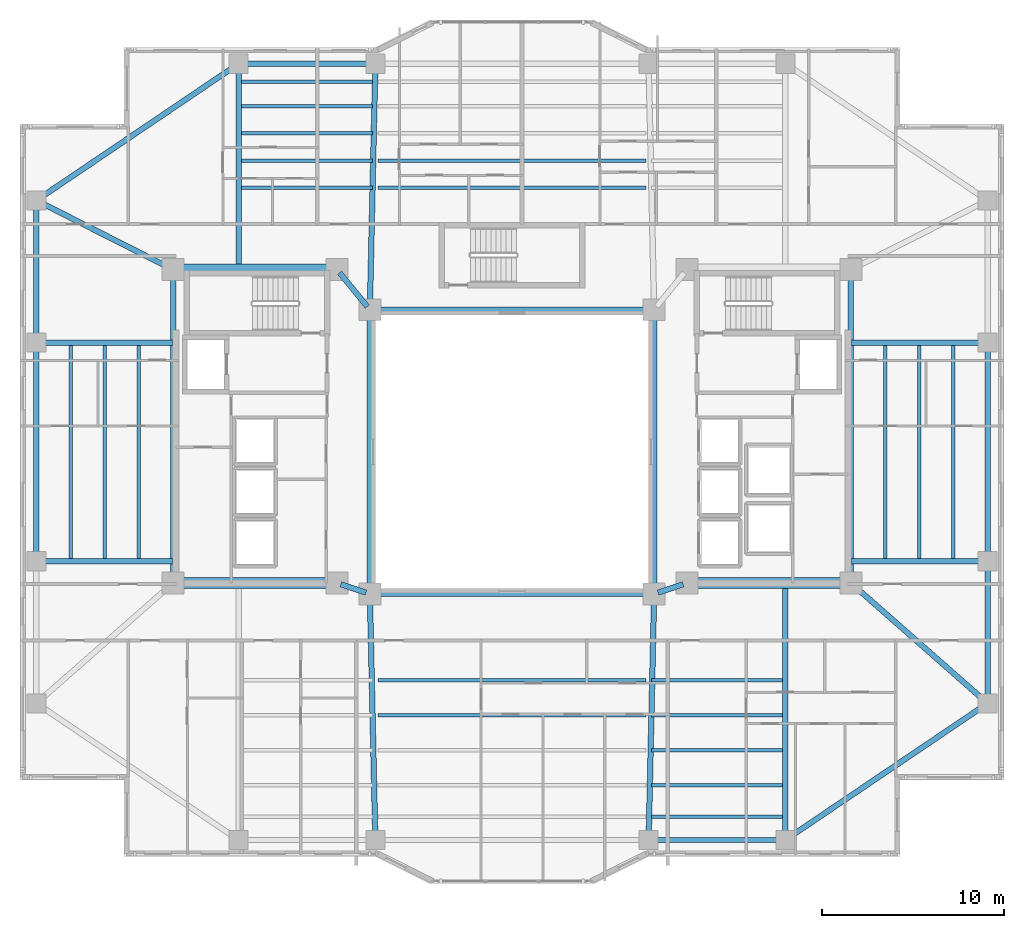
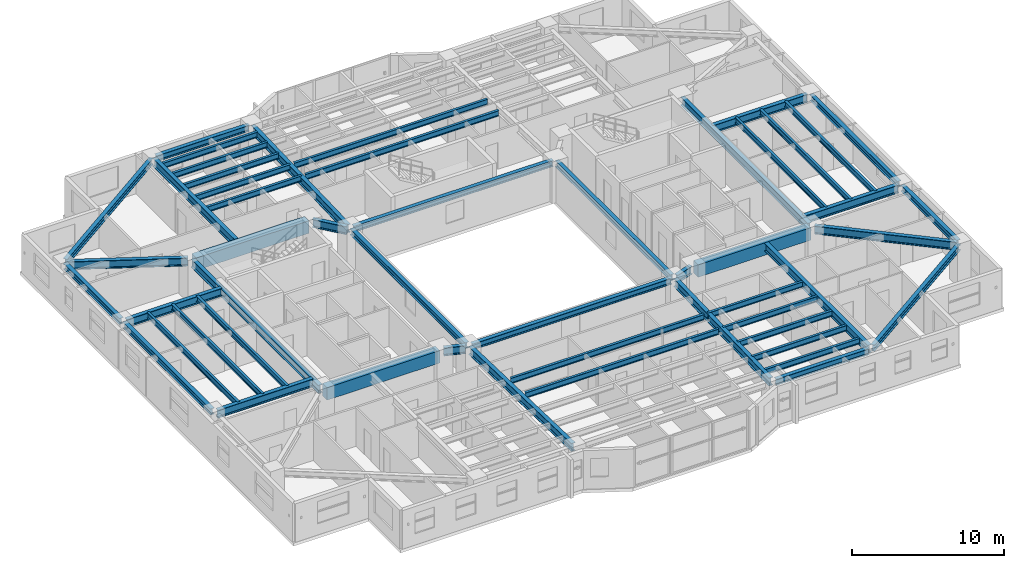
# One storey, part 3 of 19: 51 beams.
"""IFC4 building model written with IfcOpenShell, lengths in metres."""

from ifc_helpers import new_model, si_unit, direction, frame, origin, origin_2d, place, context, subcontext, project, spatial, rectangle, i_section, extrude, material, material_profile, profile_set, type_object, element, save


model = new_model("IFC4")

# Units and contexts
model_context = context("Model", 3, precision=1e-05, world=origin(), true_north=direction((0.0, 1.0)))
body_context = subcontext(model_context, "Body", "Model", "MODEL_VIEW")
ifc_project = project(units=[si_unit("LENGTHUNIT", "METRE"), si_unit("AREAUNIT", "SQUARE_METRE"), si_unit("VOLUMEUNIT", "CUBIC_METRE"), si_unit("PLANEANGLEUNIT", "RADIAN"), si_unit("MASSUNIT", "GRAM", prefix="KILO")], contexts=[model_context])

# Site, building, storey
site_placement = place(None, origin())
site = spatial("IfcSite", under=ifc_project, at=site_placement, CompositionType="ELEMENT")
building_placement = place(site_placement, origin())
building = spatial("IfcBuilding", under=site, at=building_placement, Name="Tarnavaz Court Tower", CompositionType="ELEMENT")
storey_placement = place(building_placement, frame((0.0, 0.0, 111.800048828125)))
storey = spatial("IfcBuildingStorey", under=building, at=storey_placement, Name="L30", CompositionType="ELEMENT", Elevation=111.800048828125)

# Beams
ifc_material_1 = material(Name="Concrete C60/75", Category="concrete")
ifc_material_profile_1 = material_profile(ifc_material_1, rectangle(XDim=0.60009765625, YDim=1.0, at=origin_2d()), Name="RC 600X1000")
ifc_profile_set_1 = profile_set([ifc_material_profile_1], Name="Concrete C60/75")
beam_type_1 = type_object("IfcBeamType", Name="BM-CB1000", PredefinedType="LINTEL", material=ifc_profile_set_1)
for number, where, z_axis, x_axis, name in (
    (1, (-18.3798828125, -7.199951171875, 2.599853515625), (1.0, 0.0, 0.0), (0.0, 1.0, 0.0), "L30 Beam IN-CW-SO-CW-SI"),
    (2, (-18.3798828125, 10.0, 2.599853515625), (1.0, 0.0, 0.0), (0.0, 1.0, 0.0), "L30 Beam IN-CW-NO-CW-NI"),
    (3, (18.3798828125, -7.199951171875, 2.599853515625), (-1.0, 0.0, 0.0), (0.0, -1.0, 0.0), "L30 Beam IN-CE-SO-CE-SI"),
):
    element("IfcBeam", number, at=place(storey_placement, frame(where, z_axis=z_axis, x_axis=x_axis)), inside=storey, type_object=beam_type_1, Name=name, PredefinedType="LINTEL", context=body_context, shape_type="SweptSolid", body=[
        extrude(rectangle(XDim=0.60009765625, YDim=1.0, at=origin_2d()), origin(), (0.0, 0.0, 1.0), 8.559814453125),
    ])
ifc_material_2 = material(Name="Steel S355", Category="steel")
ifc_material_profile_2 = material_profile(ifc_material_2, i_section(OverallWidth=0.300048828125, OverallDepth=0.64990234375, WebThickness=0.01611328125, FlangeThickness=0.031005859375, FilletRadius=0.027099609375, at=origin_2d()), Name="HEB 650")
ifc_profile_set_2 = profile_set([ifc_material_profile_2], Name="Steel S355")
beam_type_2 = type_object("IfcBeamType", Name="BM-G-HEB650", PredefinedType="USERDEFINED", material=ifc_profile_set_2)
for number, where, z_axis, x_axis, name in (
    (4, (-9.391357421875, -7.26953125, 2.77490234375), (0.948666544706, -0.316278021615, 0.0), (0.316278021615, 0.948666544706, 0.0), "L30 Beam IN-CW-SI-IW-SW"),
    (5, (9.391357421875, -7.26953125, 2.77490234375), (-0.948666544706, -0.316278021615, 0.0), (0.316278021615, -0.948666544706, 0.0), "L30 Beam IN-CE-SI-IW-SE"),
):
    element("IfcBeam", number, at=place(storey_placement, frame(where, z_axis=z_axis, x_axis=x_axis)), inside=storey, type_object=beam_type_2, Name=name, ObjectType="GIRDER", PredefinedType="USERDEFINED", context=body_context, shape_type="SweptSolid", body=[
        extrude(i_section(OverallWidth=0.300048828125, OverallDepth=0.64990234375, WebThickness=0.01611328125, FlangeThickness=0.031005859375, FilletRadius=0.027099609375, at=origin_2d()), origin(), (0.0, 0.0, 1.0), 1.457275390625),
    ])
beam_1_placement = place(storey_placement, frame((-9.460693359375, 9.82958984375, 2.77490234375), z_axis=(0.633282058357, -0.773921077735, 0.0), x_axis=(0.773921077735, 0.633282058357, 0.0)))
element("IfcBeam", 6, at=beam_1_placement, inside=storey, type_object=beam_type_2, Name="L30 Beam IN-CW-NI-IW-NW", ObjectType="GIRDER", PredefinedType="USERDEFINED", context=body_context, shape_type="SweptSolid", body=[
    extrude(i_section(OverallWidth=0.300048828125, OverallDepth=0.64990234375, WebThickness=0.01611328125, FlangeThickness=0.031005859375, FilletRadius=0.027099609375, at=origin_2d()), origin(), (0.0, 0.0, 1.0), 2.402587890625),
])
for number, where, z_axis, x_axis, name in (
    (7, (-18.60009765625, -6.97998046875, 2.77490234375), (0.0, 1.0, 0.0), (-1.0, 0.0, 0.0), "L30 Beam IN-CW-SO-CW-NO"),
    (8, (18.60009765625, -6.97998046875, 2.77490234375), (0.0, 1.0, 0.0), (-1.0, 0.0, 0.0), "L30 Beam IN-CE-SO-CE-NO"),
):
    element("IfcBeam", number, at=place(storey_placement, frame(where, z_axis=z_axis, x_axis=x_axis)), inside=storey, type_object=beam_type_2, Name=name, ObjectType="GIRDER", PredefinedType="USERDEFINED", context=body_context, shape_type="SweptSolid", body=[
        extrude(i_section(OverallWidth=0.300048828125, OverallDepth=0.64990234375, WebThickness=0.01611328125, FlangeThickness=0.031005859375, FilletRadius=0.027099609375, at=origin_2d()), origin(), (0.0, 0.0, 1.0), 16.760009765625),
    ])
beam_2_placement = place(storey_placement, frame((-15.0, 10.0400390625, 2.77490234375), z_axis=(0.0, 1.0, 0.0), x_axis=(-1.0, 0.0, 0.0)))
element("IfcBeam", 9, at=beam_2_placement, inside=storey, type_object=beam_type_2, Name="L30 Beam RG-01", ObjectType="GIRDER", PredefinedType="USERDEFINED", context=body_context, shape_type="SweptSolid", body=[
    extrude(i_section(OverallWidth=0.300048828125, OverallDepth=0.64990234375, WebThickness=0.01611328125, FlangeThickness=0.031005859375, FilletRadius=0.027099609375, at=origin_2d()), origin(), (0.0, 0.0, 1.0), 11.0400390625),
])
for number, where, z_axis, x_axis, name in (
    (10, (-7.795166015625, 8.02001953125, 2.77490234375), (0.022221303469, 0.99975307635, 0.0), (-0.99975307635, 0.022221303469, 0.0), "L30 Beam RG-02"),
    (11, (-7.795166015625, -8.02001953125, 2.77490234375), (0.022221303469, -0.99975307635, 0.0), (0.99975307635, 0.022221303469, 0.0), "L30 Beam RG-06"),
    (12, (7.795166015625, -8.02001953125, 2.77490234375), (-0.022221303469, -0.99975307635, 0.0), (0.99975307635, -0.022221303469, 0.0), "L30 Beam RG-07"),
):
    element("IfcBeam", number, at=place(storey_placement, frame(where, z_axis=z_axis, x_axis=x_axis)), inside=storey, type_object=beam_type_2, Name=name, ObjectType="GIRDER", PredefinedType="USERDEFINED", context=body_context, shape_type="SweptSolid", body=[
        extrude(i_section(OverallWidth=0.300048828125, OverallDepth=0.64990234375, WebThickness=0.01611328125, FlangeThickness=0.031005859375, FilletRadius=0.027099609375, at=origin_2d()), origin(), (0.0, 0.0, 1.0), 13.063232421875),
    ])
beam_3_placement = place(storey_placement, frame((15.0, -7.239990234375, 2.77490234375), z_axis=(0.0, -1.0, 0.0), x_axis=(1.0, 0.0, 0.0)))
element("IfcBeam", 13, at=beam_3_placement, inside=storey, type_object=beam_type_2, Name="L30 Beam RG-08", ObjectType="GIRDER", PredefinedType="USERDEFINED", context=body_context, shape_type="SweptSolid", body=[
    extrude(i_section(OverallWidth=0.300048828125, OverallDepth=0.64990234375, WebThickness=0.01611328125, FlangeThickness=0.031005859375, FilletRadius=0.027099609375, at=origin_2d()), origin(), (0.0, 0.0, 1.0), 13.840087890625),
])
for number, where, z_axis, x_axis, name in (
    (14, (18.639892578125, -6.0, 2.77490234375), (1.0, 0.0, 0.0), (0.0, 1.0, 0.0), "L30 Beam RG-09"),
    (15, (18.639892578125, 6.0, 2.77490234375), (1.0, 0.0, 0.0), (0.0, 1.0, 0.0), "L30 Beam RG-10"),
):
    element("IfcBeam", number, at=place(storey_placement, frame(where, z_axis=z_axis, x_axis=x_axis)), inside=storey, type_object=beam_type_2, Name=name, ObjectType="GIRDER", PredefinedType="USERDEFINED", context=body_context, shape_type="SweptSolid", body=[
        extrude(i_section(OverallWidth=0.300048828125, OverallDepth=0.64990234375, WebThickness=0.01611328125, FlangeThickness=0.031005859375, FilletRadius=0.027099609375, at=origin_2d()), origin(), (0.0, 0.0, 1.0), 7.239990234375),
    ])
beam_4_placement = place(storey_placement, frame((18.76513671875, -7.34521484375, 2.77490234375), z_axis=(0.750700332035, -0.660642877417, 0.0), x_axis=(0.660642877417, 0.750700332035, 0.0)))
element("IfcBeam", 16, at=beam_4_placement, inside=storey, type_object=beam_type_2, Name="L30 Beam RG-11", ObjectType="GIRDER", PredefinedType="USERDEFINED", context=body_context, shape_type="SweptSolid", body=[
    extrude(i_section(OverallWidth=0.300048828125, OverallDepth=0.64990234375, WebThickness=0.01611328125, FlangeThickness=0.031005859375, FilletRadius=0.027099609375, at=origin_2d()), origin(), (0.0, 0.0, 1.0), 9.550537109375),
])
for number, where, z_axis, x_axis, name in (
    (17, (-18.639892578125, -6.0, 2.77490234375), (-1.0, 0.0, 0.0), (0.0, -1.0, 0.0), "L30 Beam RG-13"),
    (18, (-18.639892578125, 6.0, 2.77490234375), (-1.0, 0.0, 0.0), (0.0, -1.0, 0.0), "L30 Beam RG-14"),
):
    element("IfcBeam", number, at=place(storey_placement, frame(where, z_axis=z_axis, x_axis=x_axis)), inside=storey, type_object=beam_type_2, Name=name, ObjectType="GIRDER", PredefinedType="USERDEFINED", context=body_context, shape_type="SweptSolid", body=[
        extrude(i_section(OverallWidth=0.300048828125, OverallDepth=0.64990234375, WebThickness=0.01611328125, FlangeThickness=0.031005859375, FilletRadius=0.027099609375, at=origin_2d()), origin(), (0.0, 0.0, 1.0), 7.239990234375),
    ])
beam_5_placement = place(storey_placement, frame((-18.796142578125, 10.099365234375, 2.77490234375), z_axis=(-0.892030669981, 0.451974870776, 0.0), x_axis=(-0.451974870776, -0.892030669981, 0.0)))
element("IfcBeam", 19, at=beam_5_placement, inside=storey, type_object=beam_type_2, Name="L30 Beam RG-16", ObjectType="GIRDER", PredefinedType="USERDEFINED", context=body_context, shape_type="SweptSolid", body=[
    extrude(i_section(OverallWidth=0.300048828125, OverallDepth=0.64990234375, WebThickness=0.01611328125, FlangeThickness=0.031005859375, FilletRadius=0.027099609375, at=origin_2d()), origin(), (0.0, 0.0, 1.0), 7.968017578125),
])
ifc_material_profile_3 = material_profile(ifc_material_2, i_section(OverallWidth=0.18994140625, OverallDepth=0.449951171875, WebThickness=0.009521484375, FlangeThickness=0.0146484375, FilletRadius=0.02099609375, at=origin_2d()), Name="IPE 450")
ifc_profile_set_3 = profile_set([ifc_material_profile_3], Name="Steel S355")
beam_type_3 = type_object("IfcBeamType", Name="BM-J-IPE450", PredefinedType="JOIST", material=ifc_profile_set_3)
beam_6_placement = place(storey_placement, frame((-14.85009765625, 14.493896484375, 2.875), z_axis=(1.0, 0.0, 0.0), x_axis=(0.0, 1.0, 0.0)))
element("IfcBeam", 20, at=beam_6_placement, inside=storey, type_object=beam_type_3, Name="L30 Beam JN1-1", PredefinedType="JOIST", context=body_context, shape_type="SweptSolid", body=[
    extrude(i_section(OverallWidth=0.18994140625, OverallDepth=0.449951171875, WebThickness=0.009521484375, FlangeThickness=0.0146484375, FilletRadius=0.02099609375, at=origin_2d()), origin(), (0.0, 0.0, 1.0), 7.2001953125),
])
for number, where, z_axis, x_axis, name in (
    (21, (-7.35009765625, 14.493896484375, 2.875), (1.0, 0.0, 0.0), (0.0, 1.0, 0.0), "L30 Beam JN1-2"),
    (22, (-7.35009765625, -12.52587890625, 2.875), (1.0, 0.0, 0.0), (0.0, 1.0, 0.0), "L30 Beam JS1-2"),
):
    element("IfcBeam", number, at=place(storey_placement, frame(where, z_axis=z_axis, x_axis=x_axis)), inside=storey, type_object=beam_type_3, Name=name, PredefinedType="JOIST", context=body_context, shape_type="SweptSolid", body=[
        extrude(i_section(OverallWidth=0.18994140625, OverallDepth=0.449951171875, WebThickness=0.009521484375, FlangeThickness=0.0146484375, FilletRadius=0.02099609375, at=origin_2d()), origin(), (0.0, 0.0, 1.0), 14.7001953125),
    ])
for number, where, z_axis, x_axis, name in (
    (23, (7.64990234375, -12.52587890625, 2.875), (1.0, 0.0, 0.0), (0.0, 1.0, 0.0), "L30 Beam JS1-3"),
    (24, (-14.85009765625, 15.988037109375, 2.875), (1.0, 0.0, 0.0), (0.0, 1.0, 0.0), "L30 Beam JN2-1"),
):
    element("IfcBeam", number, at=place(storey_placement, frame(where, z_axis=z_axis, x_axis=x_axis)), inside=storey, type_object=beam_type_3, Name=name, PredefinedType="JOIST", context=body_context, shape_type="SweptSolid", body=[
        extrude(i_section(OverallWidth=0.18994140625, OverallDepth=0.449951171875, WebThickness=0.009521484375, FlangeThickness=0.0146484375, FilletRadius=0.02099609375, at=origin_2d()), origin(), (0.0, 0.0, 1.0), 7.2001953125),
    ])
for number, where, z_axis, x_axis, name in (
    (25, (-7.35009765625, 15.988037109375, 2.875), (1.0, 0.0, 0.0), (0.0, 1.0, 0.0), "L30 Beam JN2-2"),
    (26, (-7.35009765625, -14.451904296875, 2.875), (1.0, 0.0, 0.0), (0.0, 1.0, 0.0), "L30 Beam JS2-2"),
):
    element("IfcBeam", number, at=place(storey_placement, frame(where, z_axis=z_axis, x_axis=x_axis)), inside=storey, type_object=beam_type_3, Name=name, PredefinedType="JOIST", context=body_context, shape_type="SweptSolid", body=[
        extrude(i_section(OverallWidth=0.18994140625, OverallDepth=0.449951171875, WebThickness=0.009521484375, FlangeThickness=0.0146484375, FilletRadius=0.02099609375, at=origin_2d()), origin(), (0.0, 0.0, 1.0), 14.7001953125),
    ])
for number, where, z_axis, x_axis, name in (
    (27, (7.64990234375, -14.451904296875, 2.875), (1.0, 0.0, 0.0), (0.0, 1.0, 0.0), "L30 Beam JS2-3"),
    (28, (-14.85009765625, 17.48193359375, 2.875), (1.0, 0.0, 0.0), (0.0, 1.0, 0.0), "L30 Beam JN3-1"),
    (29, (7.64990234375, -16.3779296875, 2.875), (1.0, 0.0, 0.0), (0.0, 1.0, 0.0), "L30 Beam JS3-3"),
    (30, (-14.85009765625, 18.97607421875, 2.875), (1.0, 0.0, 0.0), (0.0, 1.0, 0.0), "L30 Beam JN4-1"),
    (31, (7.64990234375, -18.303955078125, 2.875), (1.0, 0.0, 0.0), (0.0, 1.0, 0.0), "L30 Beam JS4-3"),
    (32, (-14.85009765625, 20.303955078125, 2.875), (1.0, 0.0, 0.0), (0.0, 1.0, 0.0), "L30 Beam JN5-1"),
    (33, (7.64990234375, -20.01611328125, 2.875), (1.0, 0.0, 0.0), (0.0, 1.0, 0.0), "L30 Beam JS5-3"),
):
    element("IfcBeam", number, at=place(storey_placement, frame(where, z_axis=z_axis, x_axis=x_axis)), inside=storey, type_object=beam_type_3, Name=name, PredefinedType="JOIST", context=body_context, shape_type="SweptSolid", body=[
        extrude(i_section(OverallWidth=0.18994140625, OverallDepth=0.449951171875, WebThickness=0.009521484375, FlangeThickness=0.0146484375, FilletRadius=0.02099609375, at=origin_2d()), origin(), (0.0, 0.0, 1.0), 7.2001953125),
    ])
for number, where, z_axis, x_axis, name in (
    (34, (20.47509765625, -5.9599609375, 2.875), (0.0, 1.0, 0.0), (-1.0, 0.0, 0.0), "L30 Beam JE1"),
    (35, (-20.47509765625, -5.9599609375, 2.875), (0.0, 1.0, 0.0), (-1.0, 0.0, 0.0), "L30 Beam JW1"),
    (36, (22.35009765625, -5.9599609375, 2.875), (0.0, 1.0, 0.0), (-1.0, 0.0, 0.0), "L30 Beam JE2"),
    (37, (-22.35009765625, -5.9599609375, 2.875), (0.0, 1.0, 0.0), (-1.0, 0.0, 0.0), "L30 Beam JW2"),
    (38, (24.22509765625, -5.9599609375, 2.875), (0.0, 1.0, 0.0), (-1.0, 0.0, 0.0), "L30 Beam JE3"),
    (39, (-24.22509765625, -5.9599609375, 2.875), (0.0, 1.0, 0.0), (-1.0, 0.0, 0.0), "L30 Beam JW3"),
):
    element("IfcBeam", number, at=place(storey_placement, frame(where, z_axis=z_axis, x_axis=x_axis)), inside=storey, type_object=beam_type_3, Name=name, PredefinedType="JOIST", context=body_context, shape_type="SweptSolid", body=[
        extrude(i_section(OverallWidth=0.18994140625, OverallDepth=0.449951171875, WebThickness=0.009521484375, FlangeThickness=0.0146484375, FilletRadius=0.02099609375, at=origin_2d()), origin(), (0.0, 0.0, 1.0), 11.919921875),
    ])
ifc_material_profile_4 = material_profile(ifc_material_2, i_section(OverallWidth=0.300048828125, OverallDepth=0.489990234375, WebThickness=0.011962890625, FlangeThickness=0.02294921875, FilletRadius=0.027099609375, at=origin_2d()), Name="HEA 500")
ifc_profile_set_4 = profile_set([ifc_material_profile_4], Name="Steel S355")
beam_type_4 = type_object("IfcBeamType", Name="BM-SP-HEA500", PredefinedType="SPANDREL", material=ifc_profile_set_4)
for number, where, z_axis, x_axis, name in (
    (40, (-7.580078125, -7.800048828125, 2.85498046875), (1.0, 0.0, 0.0), (0.0, 1.0, 0.0), "L30 Beam IN-IW-SW-IW-SE"),
    (41, (-7.580078125, 7.800048828125, 2.85498046875), (1.0, 0.0, 0.0), (0.0, 1.0, 0.0), "L30 Beam IN-IW-NW-IW-NE"),
    (42, (-7.800048828125, -7.580078125, 2.85498046875), (0.0, 1.0, 0.0), (-1.0, 0.0, 0.0), "L30 Beam IN-IW-SW-IW-NW"),
    (43, (7.800048828125, -7.580078125, 2.85498046875), (0.0, 1.0, 0.0), (-1.0, 0.0, 0.0), "L30 Beam IN-IW-SE-IW-NE"),
):
    element("IfcBeam", number, at=place(storey_placement, frame(where, z_axis=z_axis, x_axis=x_axis)), inside=storey, type_object=beam_type_4, Name=name, PredefinedType="SPANDREL", context=body_context, shape_type="SweptSolid", body=[
        extrude(i_section(OverallWidth=0.300048828125, OverallDepth=0.489990234375, WebThickness=0.011962890625, FlangeThickness=0.02294921875, FilletRadius=0.027099609375, at=origin_2d()), origin(), (0.0, 0.0, 1.0), 15.16015625),
    ])
for number, where, z_axis, x_axis, name in (
    (44, (-14.780029296875, 21.300048828125, 2.85498046875), (1.0, 0.0, 0.0), (0.0, 1.0, 0.0), "L30 Beam PR-PN-1-PN-2"),
    (45, (7.719970703125, -21.300048828125, 2.85498046875), (1.0, 0.0, 0.0), (0.0, 1.0, 0.0), "L30 Beam PR-PS-3-PS-4"),
):
    element("IfcBeam", number, at=place(storey_placement, frame(where, z_axis=z_axis, x_axis=x_axis)), inside=storey, type_object=beam_type_4, Name=name, PredefinedType="SPANDREL", context=body_context, shape_type="SweptSolid", body=[
        extrude(i_section(OverallWidth=0.300048828125, OverallDepth=0.489990234375, WebThickness=0.011962890625, FlangeThickness=0.02294921875, FilletRadius=0.027099609375, at=origin_2d()), origin(), (0.0, 0.0, 1.0), 7.06005859375),
    ])
beam_7_placement = place(storey_placement, frame((26.10009765625, -13.580078125, 2.85498046875), z_axis=(0.0, 1.0, 0.0), x_axis=(-1.0, 0.0, 0.0)))
element("IfcBeam", 46, at=beam_7_placement, inside=storey, type_object=beam_type_4, Name="L30 Beam PR-PE-1-PE-2", PredefinedType="SPANDREL", context=body_context, shape_type="SweptSolid", body=[
    extrude(i_section(OverallWidth=0.300048828125, OverallDepth=0.489990234375, WebThickness=0.011962890625, FlangeThickness=0.02294921875, FilletRadius=0.027099609375, at=origin_2d()), origin(), (0.0, 0.0, 1.0), 7.360107421875),
])
for number, where, z_axis, x_axis, name in (
    (47, (26.10009765625, -5.780029296875, 2.85498046875), (0.0, 1.0, 0.0), (-1.0, 0.0, 0.0), "L30 Beam PR-PE-2-PE-3"),
    (48, (-26.10009765625, -5.780029296875, 2.85498046875), (0.0, 1.0, 0.0), (-1.0, 0.0, 0.0), "L30 Beam PR-PW-2-PW-3"),
):
    element("IfcBeam", number, at=place(storey_placement, frame(where, z_axis=z_axis, x_axis=x_axis)), inside=storey, type_object=beam_type_4, Name=name, PredefinedType="SPANDREL", context=body_context, shape_type="SweptSolid", body=[
        extrude(i_section(OverallWidth=0.300048828125, OverallDepth=0.489990234375, WebThickness=0.011962890625, FlangeThickness=0.02294921875, FilletRadius=0.027099609375, at=origin_2d()), origin(), (0.0, 0.0, 1.0), 11.56005859375),
    ])
beam_8_placement = place(storey_placement, frame((-26.10009765625, 6.219970703125, 2.85498046875), z_axis=(0.0, 1.0, 0.0), x_axis=(-1.0, 0.0, 0.0)))
element("IfcBeam", 49, at=beam_8_placement, inside=storey, type_object=beam_type_4, Name="L30 Beam PR-PW-3-PW-4", PredefinedType="SPANDREL", context=body_context, shape_type="SweptSolid", body=[
    extrude(i_section(OverallWidth=0.300048828125, OverallDepth=0.489990234375, WebThickness=0.011962890625, FlangeThickness=0.02294921875, FilletRadius=0.027099609375, at=origin_2d()), origin(), (0.0, 0.0, 1.0), 7.360107421875),
])
for number, where, z_axis, x_axis, name in (
    (50, (25.917724609375, -13.923095703125, 2.85498046875), (-0.828587314918, -0.559859858854, 0.0), (0.559859858854, -0.828587314918, 0.0), "L30 Beam PR-PE-1-PS-4"),
    (51, (-25.917724609375, 13.923095703125, 2.85498046875), (0.828587314918, 0.559859858854, 0.0), (-0.559859858854, 0.828587314918, 0.0), "L30 Beam PR-PW-4-PN-1"),
):
    element("IfcBeam", number, at=place(storey_placement, frame(where, z_axis=z_axis, x_axis=x_axis)), inside=storey, type_object=beam_type_4, Name=name, PredefinedType="SPANDREL", context=body_context, shape_type="SweptSolid", body=[
        extrude(i_section(OverallWidth=0.300048828125, OverallDepth=0.489990234375, WebThickness=0.011962890625, FlangeThickness=0.02294921875, FilletRadius=0.027099609375, at=origin_2d()), origin(), (0.0, 0.0, 1.0), 12.956298828125),
    ])

save(model, "model.ifc")
